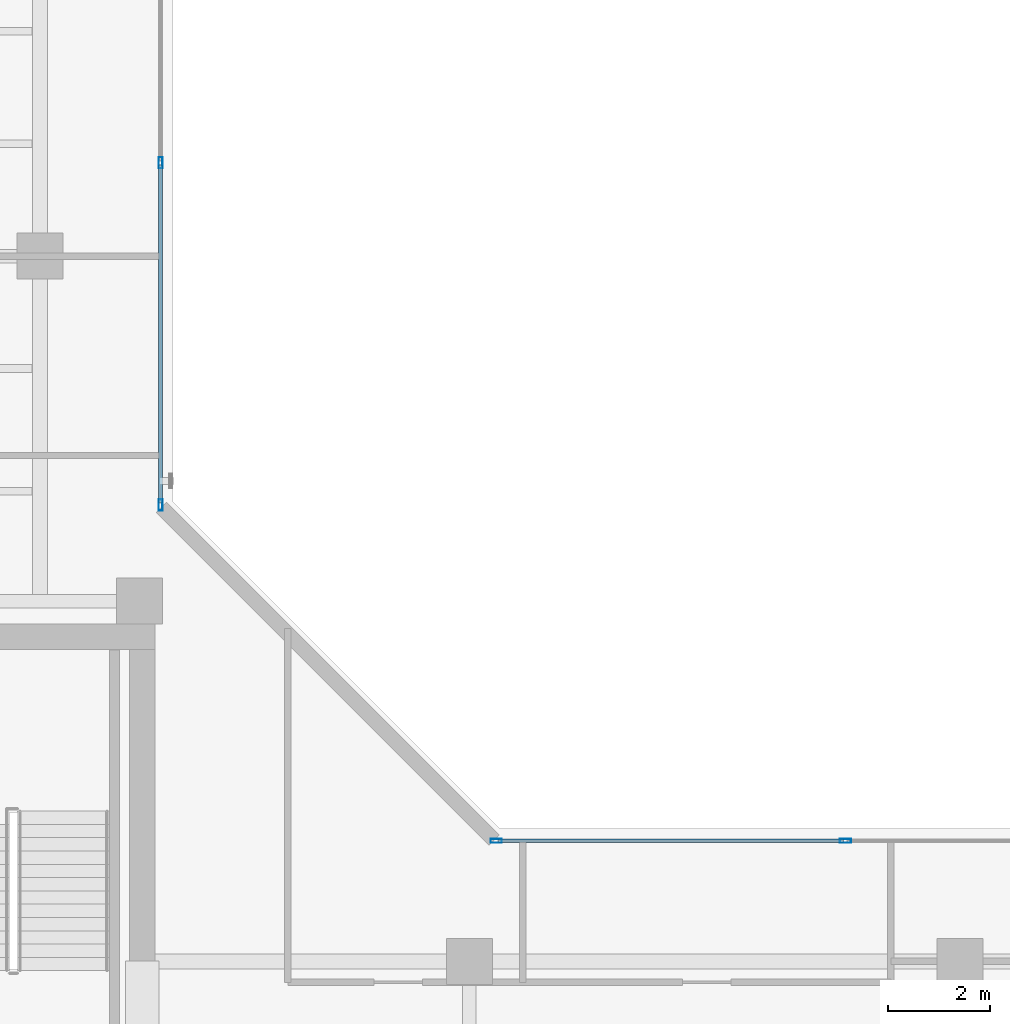
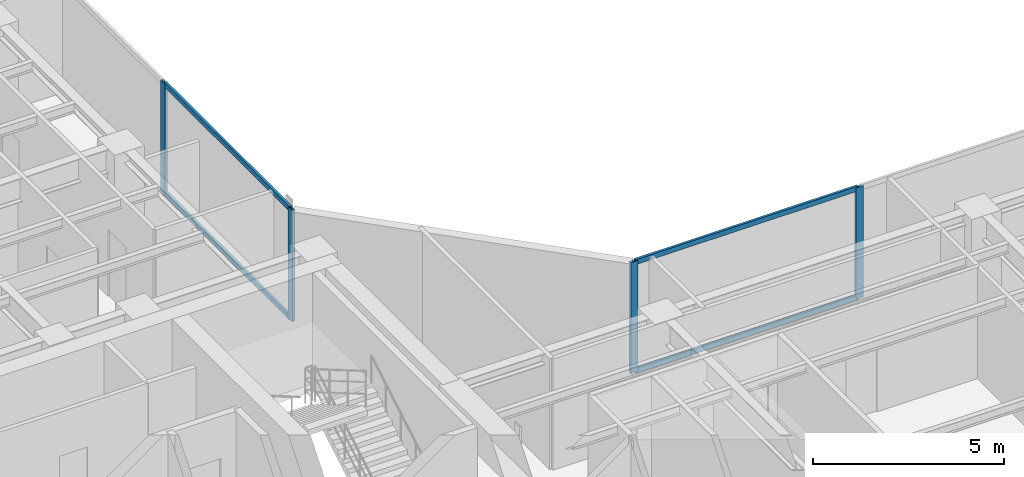
# One storey, part 10 of 22: 8 members, 2 elements without a shape of their own.
"""IFC4 building model written with IfcOpenShell, lengths in metres."""

from ifc_helpers import new_model, si_unit, direction, frame, origin, origin_with_axes, origin_2d, place, context, subcontext, project, spatial, hollow_rectangle, extrude, source, transform, mapped, material, layer, layer_set, material_profile, profile_set, type_object, element, aggregate, save


model = new_model("IFC4")

# Units and contexts
model_context = context("Model", 3, precision=1e-05, world=origin(), true_north=direction((0.0, 1.0)))
body_context = subcontext(model_context, "Body", "Model", "MODEL_VIEW")
ifc_project = project(units=[si_unit("LENGTHUNIT", "METRE"), si_unit("AREAUNIT", "SQUARE_METRE"), si_unit("VOLUMEUNIT", "CUBIC_METRE"), si_unit("PLANEANGLEUNIT", "RADIAN"), si_unit("MASSUNIT", "GRAM", prefix="KILO")], contexts=[model_context])

# Site, building, storey
site_placement = place(None, origin())
site = spatial("IfcSite", under=ifc_project, at=site_placement, CompositionType="ELEMENT")
building_placement = place(site_placement, origin())
building = spatial("IfcBuilding", under=site, at=building_placement, Name="Kolvaren Waterfront Exchange", CompositionType="ELEMENT")
storey_placement = place(building_placement, frame((0.0, 0.0, 262.800048828125)))
storey = spatial("IfcBuildingStorey", under=building, at=storey_placement, Name="L67", CompositionType="ELEMENT", Elevation=262.800048828125)

# Curtain wall, members
ifc_material_1 = material(Name="Anodised bronze aluminium 6063-T6", Category="aluminium")
ifc_layer = layer(ifc_material_1, 0.219970703125, Name="Anodised bronze aluminium 6063-T6")
ifc_layer_set = layer_set([ifc_layer], Name="Anodised bronze aluminium 6063-T6")
curtain_wall_type = type_object("IfcCurtainWallType", Name="ARC-CW-SYS1", PredefinedType="USERDEFINED", material=ifc_layer_set)
curtain_wall_1_placement = place(storey_placement, origin())
curtain_wall_1 = element("IfcCurtainWall", 1, at=curtain_wall_1_placement, inside=storey, type_object=curtain_wall_type, Name="L67 stick curtain wall CW1 (CW-L67-NE)", ObjectType="STICK CURTAIN WALL", PredefinedType="USERDEFINED")
ifc_material_2 = material(Name="Anodised aluminium 6063-T6", Category="aluminium")
ifc_material_profile_1 = material_profile(ifc_material_2, hollow_rectangle(XDim=0.080078125, YDim=0.219970703125, WallThickness=0.0048828125, at=origin_2d()), Name="ALU-MUL-220x80x5")
ifc_profile_set_1 = profile_set([ifc_material_profile_1], Name="Anodised aluminium 6063-T6")
member_type_1 = type_object("IfcMemberType", Name="ARC-CWM-220", PredefinedType="MULLION", material=ifc_profile_set_1)
shared_shape_1 = source(origin_with_axes(), body_context, "Body", "SweptSolid", [
    extrude(hollow_rectangle(XDim=0.080078125, YDim=0.219970703125, WallThickness=0.0048828125, at=origin_2d()), origin(), (0.0, 0.0, 1.0), 3.56005859375),
])
member_1_placement = place(storey_placement, frame((21.159912109375, 26.330078125, 0.0), z_axis=(0.0, 0.0, 1.0), x_axis=(-1.0, 0.0, 0.0)))
member_1 = element("IfcMember", 2, at=member_1_placement, type_object=member_type_1, Name="CW1 mullion 1", PredefinedType="MULLION", context=body_context, shape_type="MappedRepresentation", body=[
    mapped(shared_shape_1, transform((0.0, 0.0, 0.0), x_axis=(1.0, 0.0, 0.0), y_axis=(0.0, 1.0, 0.0), z_axis=(0.0, 0.0, 1.0), scale=1.0)),
])
member_2_placement = place(storey_placement, frame((21.159912109375, 33.026611328125, 0.0), z_axis=(0.0, 0.0, 1.0), x_axis=(-1.0, 0.0, 0.0)))
member_2 = element("IfcMember", 3, at=member_2_placement, type_object=member_type_1, Name="CW1 mullion 2", PredefinedType="MULLION", context=body_context, shape_type="MappedRepresentation", body=[
    mapped(shared_shape_1, transform((0.0, 0.0, 0.0), x_axis=(1.0, 0.0, 0.0), y_axis=(0.0, 1.0, 0.0), z_axis=(0.0, 0.0, 1.0), scale=1.0)),
])

curtain_wall_2_placement = place(storey_placement, origin())
curtain_wall_2 = element("IfcCurtainWall", 4, at=curtain_wall_2_placement, inside=storey, type_object=curtain_wall_type, Name="L67 stick curtain wall CW1 (CW-L67-EN)", ObjectType="STICK CURTAIN WALL", PredefinedType="USERDEFINED")
member_3_placement = place(storey_placement, frame((27.72998046875, 19.760009765625, 0.0), z_axis=(0.0, 0.0, 1.0), x_axis=(0.0, 1.0, 0.0)))
member_3 = element("IfcMember", 5, at=member_3_placement, type_object=member_type_1, Name="CW1 mullion 1", PredefinedType="MULLION", context=body_context, shape_type="MappedRepresentation", body=[
    mapped(shared_shape_1, transform((0.0, 0.0, 0.0), x_axis=(1.0, 0.0, 0.0), y_axis=(0.0, 1.0, 0.0), z_axis=(0.0, 0.0, 1.0), scale=1.0)),
])
member_4_placement = place(storey_placement, frame((34.56005859375, 19.760009765625, 0.0), z_axis=(0.0, 0.0, 1.0), x_axis=(0.0, 1.0, 0.0)))
member_4 = element("IfcMember", 6, at=member_4_placement, type_object=member_type_1, Name="CW1 mullion 2", PredefinedType="MULLION", context=body_context, shape_type="MappedRepresentation", body=[
    mapped(shared_shape_1, transform((0.0, 0.0, 0.0), x_axis=(1.0, 0.0, 0.0), y_axis=(0.0, 1.0, 0.0), z_axis=(0.0, 0.0, 1.0), scale=1.0)),
])

# Member
ifc_material_profile_2 = material_profile(ifc_material_2, hollow_rectangle(XDim=0.074951171875, YDim=0.159912109375, WallThickness=0.00439453125, at=origin_2d()), Name="ALU-TRN-160x75x4.5")
ifc_profile_set_2 = profile_set([ifc_material_profile_2], Name="Anodised aluminium 6063-T6")
member_type_2 = type_object("IfcMemberType", Name="ARC-CWT-160", PredefinedType="USERDEFINED", material=ifc_profile_set_2)
shared_shape_2 = source(origin_with_axes(), body_context, "Body", "SweptSolid", [
    extrude(hollow_rectangle(XDim=0.074951171875, YDim=0.159912109375, WallThickness=0.00439453125, at=origin_2d()), origin(), (0.0, 0.0, 1.0), 6.616455078125),
])
member_5_placement = place(storey_placement, frame((21.159912109375, 26.3701171875, 0.037353515625), z_axis=(0.0, 1.0, 0.0), x_axis=(-1.0, 0.0, 0.0)))
member_5 = element("IfcMember", 7, at=member_5_placement, type_object=member_type_2, Name="CW1 transom 1.1", ObjectType="TRANSOM", PredefinedType="USERDEFINED", context=body_context, shape_type="MappedRepresentation", body=[
    mapped(shared_shape_2, transform((0.0, 0.0, 0.0), x_axis=(1.0, 0.0, 0.0), y_axis=(0.0, 1.0, 0.0), z_axis=(0.0, 0.0, 1.0), scale=1.0)),
])

member_6_placement = place(storey_placement, frame((21.159912109375, 26.3701171875, 3.5224609375), z_axis=(0.0, 1.0, 0.0), x_axis=(-1.0, 0.0, 0.0)))
member_6 = element("IfcMember", 8, at=member_6_placement, type_object=member_type_2, Name="CW1 transom 1.2", ObjectType="TRANSOM", PredefinedType="USERDEFINED", context=body_context, shape_type="MappedRepresentation", body=[
    mapped(shared_shape_2, transform((0.0, 0.0, 0.0), x_axis=(1.0, 0.0, 0.0), y_axis=(0.0, 1.0, 0.0), z_axis=(0.0, 0.0, 1.0), scale=1.0)),
])

aggregate(curtain_wall_1, [member_1, member_2, member_5, member_6])

shared_shape_3 = source(origin_with_axes(), body_context, "Body", "SweptSolid", [
    extrude(hollow_rectangle(XDim=0.074951171875, YDim=0.159912109375, WallThickness=0.00439453125, at=origin_2d()), origin(), (0.0, 0.0, 1.0), 6.75),
])
member_7_placement = place(storey_placement, frame((27.77001953125, 19.760009765625, 0.037353515625), z_axis=(1.0, 0.0, 0.0), x_axis=(0.0, 1.0, 0.0)))
member_7 = element("IfcMember", 9, at=member_7_placement, type_object=member_type_2, Name="CW1 transom 1.1", ObjectType="TRANSOM", PredefinedType="USERDEFINED", context=body_context, shape_type="MappedRepresentation", body=[
    mapped(shared_shape_3, transform((0.0, 0.0, 0.0), x_axis=(1.0, 0.0, 0.0), y_axis=(0.0, 1.0, 0.0), z_axis=(0.0, 0.0, 1.0), scale=1.0)),
])

member_8_placement = place(storey_placement, frame((27.77001953125, 19.760009765625, 3.5224609375), z_axis=(1.0, 0.0, 0.0), x_axis=(0.0, 1.0, 0.0)))
member_8 = element("IfcMember", 10, at=member_8_placement, type_object=member_type_2, Name="CW1 transom 1.2", ObjectType="TRANSOM", PredefinedType="USERDEFINED", context=body_context, shape_type="MappedRepresentation", body=[
    mapped(shared_shape_3, transform((0.0, 0.0, 0.0), x_axis=(1.0, 0.0, 0.0), y_axis=(0.0, 1.0, 0.0), z_axis=(0.0, 0.0, 1.0), scale=1.0)),
])

aggregate(curtain_wall_2, [member_3, member_4, member_7, member_8])

save(model, "model.ifc")
